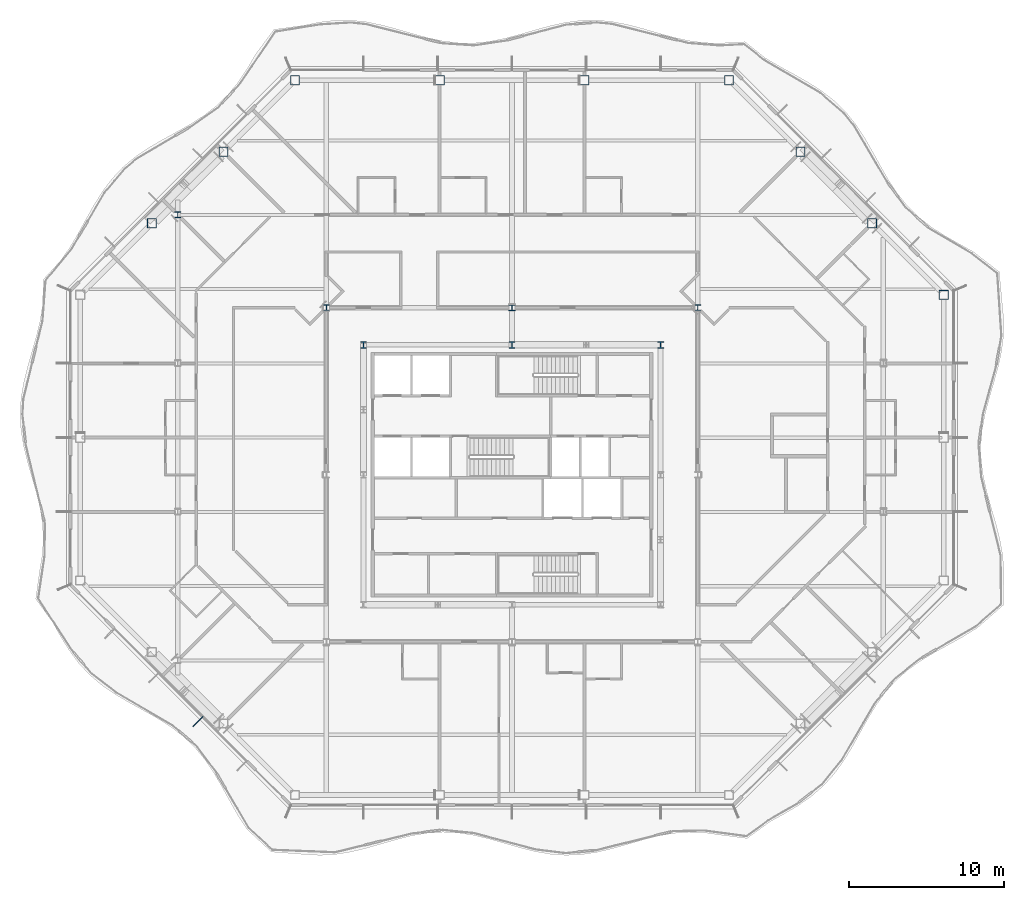
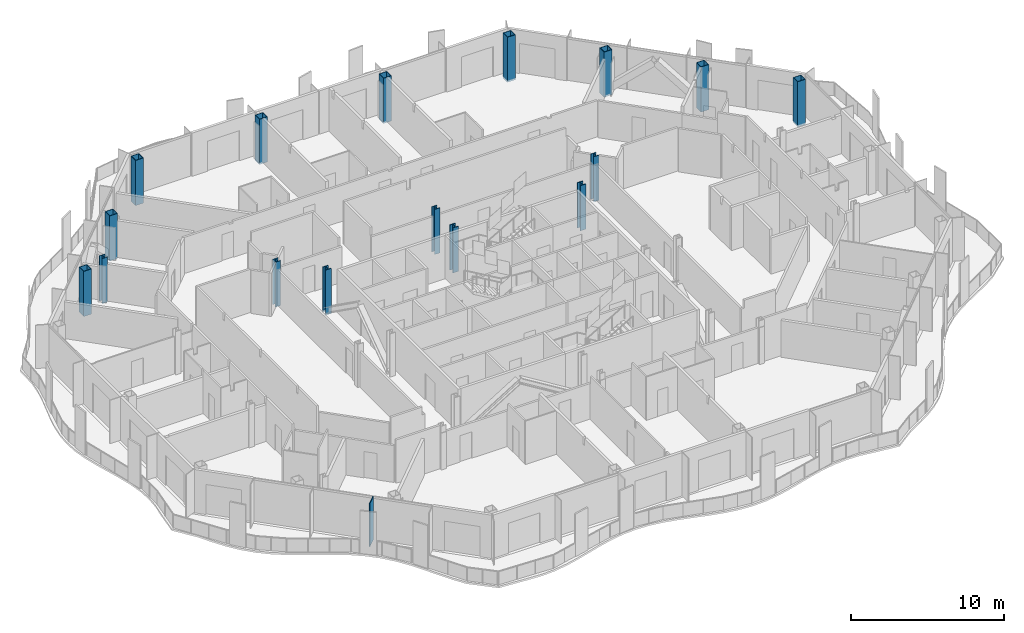
# One storey, part 2 of 20: 16 columns, 1 member, 1 element without a shape of its own.
"""IFC4 building model written with IfcOpenShell, lengths in metres."""

import ifcopenshell
import ifcopenshell.guid

model = None  # the IFC model being written
_history = None  # IfcOwnerHistory: only IFC2X3 demands one
_inside = {}  # id of a spatial element -> (the spatial element, [elements in it])
_under = {}  # id of a project, library or spatial element -> (it, [spatial elements below it])
_declared = {}  # id of a project -> (the project, [libraries it declares])
_typed = {}  # id of a type object -> (the type object, [elements of that type])
_made_of = {}  # id of a material, layer set ... -> (it, [elements and type objects made of it])


def new_model(schema):
    """Start an empty IFC model of exactly this schema.

    Asked for "IFC4X3", IfcOpenShell would pick the latest addendum, in which some entities
    have other attributes; the version numbers below select the first issue.
    IFC2X3 requires an IfcOwnerHistory on every rooted entity: one is made here for all.
    """
    global model, _history
    if schema == "IFC4X3":
        model = ifcopenshell.file(schema_version=(4, 3, 0, 0))
    else:
        model = ifcopenshell.file(schema=schema)
    _inside.clear()
    _under.clear()
    _declared.clear()
    _typed.clear()
    _made_of.clear()
    _history = None
    if model.schema == "IFC2X3":
        org = make("IfcOrganization", Name="unknown")
        user = make(
            "IfcPersonAndOrganization",
            ThePerson=make("IfcPerson", FamilyName="unknown"),
            TheOrganization=org,
        )
        app = make(
            "IfcApplication",
            ApplicationDeveloper=org,
            Version="unknown",
            ApplicationFullName="unknown",
            ApplicationIdentifier="unknown",
        )
        _history = make(
            "IfcOwnerHistory",
            OwningUser=user,
            OwningApplication=app,
            ChangeAction="ADDED",
            CreationDate=0,
        )
    return model


def make(cls, **values):
    """One entity of the class cls with the attributes given. An attribute that is None is left unset."""
    return model.create_entity(
        cls, **{name: value for name, value in values.items() if value is not None}
    )


def rooted(cls, **values):
    """An entity with a GlobalId (a new one), such as an element, a storey or a relation."""
    return make(cls, GlobalId=ifcopenshell.guid.new(), OwnerHistory=_history, **values)


def si_unit(unit_type, name, prefix=None):
    """IfcSIUnit, for example si_unit("LENGTHUNIT", "METRE", prefix="MILLI")."""
    return make("IfcSIUnit", UnitType=unit_type, Prefix=prefix, Name=name)


def assignment(units):
    """IfcUnitAssignment: the units of a project."""
    return None if units is None else make("IfcUnitAssignment", Units=units)


def point(xyz):
    """IfcCartesianPoint."""
    return None if xyz is None else make("IfcCartesianPoint", Coordinates=xyz)


def direction(xyz):
    """IfcDirection."""
    return None if xyz is None else make("IfcDirection", DirectionRatios=xyz)


def frame(location, z_axis=None, x_axis=None):
    """IfcAxis2Placement3D, a coordinate frame: its origin and axes. An axis left out is left unset."""
    return make(
        "IfcAxis2Placement3D",
        Location=point(location),
        Axis=direction(z_axis),
        RefDirection=direction(x_axis),
    )


def frame_2d(location, x_axis=None):
    """IfcAxis2Placement2D, a coordinate frame in the plane: its origin and x axis."""
    return make(
        "IfcAxis2Placement2D", Location=point(location), RefDirection=direction(x_axis)
    )


def origin():
    """The frame at (0, 0, 0) with its axes left unset."""
    return frame((0.0, 0.0, 0.0))


def origin_2d():
    """The frame at (0, 0) in the plane with its x axis left unset."""
    return frame_2d((0.0, 0.0))


def place(relative_to, where):
    """IfcLocalPlacement: puts the frame where relative to a parent placement (None: the world)."""
    return make(
        "IfcLocalPlacement", PlacementRelTo=relative_to, RelativePlacement=where
    )


def context(
    kind, dimensions, precision=None, world=None, true_north=None, identifier=None
):
    """IfcGeometricRepresentationContext, for example the 3D "Model" context."""
    return make(
        "IfcGeometricRepresentationContext",
        ContextIdentifier=identifier,
        ContextType=kind,
        CoordinateSpaceDimension=dimensions,
        Precision=precision,
        WorldCoordinateSystem=world,
        TrueNorth=true_north,
    )


def subcontext(parent, identifier, kind, view, scale=None):
    """IfcGeometricRepresentationSubContext, for example "Body" below "Model"."""
    return make(
        "IfcGeometricRepresentationSubContext",
        ContextIdentifier=identifier,
        ContextType=kind,
        ParentContext=parent,
        TargetScale=scale,
        TargetView=view,
    )


def project(units=None, contexts=None):
    """IfcProject with its units and contexts."""
    return rooted(
        "IfcProject",
        Name="project",
        RepresentationContexts=contexts,
        UnitsInContext=assignment(units),
    )


def spatial(cls, under=None, at=None, **own):
    """A site, building, storey or space (cls), placed at a placement, below another one or the project."""
    s = rooted(cls, ObjectPlacement=at, **own)
    if under is not None:
        _under.setdefault(under.id(), (under, []))[1].append(s)
    return s


def profile(cls, at=None, kind="AREA", **sizes):
    """A parametric profile (cls). Its sizes go by their IFC names, for example OverallWidth=200.0."""
    return make(cls, ProfileType=kind, Position=at, **sizes)


def rectangle(**sizes):
    """IfcRectangleProfileDef."""
    return profile("IfcRectangleProfileDef", **sizes)


def hollow_rectangle(**sizes):
    """IfcRectangleHollowProfileDef."""
    return profile("IfcRectangleHollowProfileDef", **sizes)


def i_section(**sizes):
    """IfcIShapeProfileDef."""
    return profile("IfcIShapeProfileDef", **sizes)


def extrude(swept, where, along, depth):
    """IfcExtrudedAreaSolid: the profile swept, set in the frame where, extruded along a direction by depth."""
    return make(
        "IfcExtrudedAreaSolid",
        SweptArea=swept,
        Position=where,
        ExtrudedDirection=direction(along),
        Depth=depth,
    )


def shape(context_of_items, identifier, shape_type, items):
    """IfcShapeRepresentation: the items that make up one representation, for example the "Body"."""
    return make(
        "IfcShapeRepresentation",
        ContextOfItems=context_of_items,
        RepresentationIdentifier=identifier,
        RepresentationType=shape_type,
        Items=items,
    )


def material(Name=None, Category=None):
    """IfcMaterial."""
    return make("IfcMaterial", Name=Name, Category=Category)


def material_profile(
    of_material, cross_section, Name=None, Category=None, Priority=None
):
    """IfcMaterialProfile: a cross section and its material."""
    return make(
        "IfcMaterialProfile",
        Name=Name,
        Material=of_material,
        Profile=cross_section,
        Priority=Priority,
        Category=Category,
    )


def profile_set(profiles, Name=None, composite=None):
    """IfcMaterialProfileSet."""
    return make(
        "IfcMaterialProfileSet",
        Name=Name,
        MaterialProfiles=profiles,
        CompositeProfile=composite,
    )


def made_of(thing, what):
    """Note that an element or type object is made of a material, layer set ...; save() writes the relation."""
    if what is not None:
        _made_of.setdefault(what.id(), (what, []))[1].append(thing)
    return thing


def type_object(cls, material=None, **own):
    """A type object (cls), such as IfcWallType, which elements share."""
    return made_of(rooted(cls, **own), material)


def element(
    cls,
    number,
    at=None,
    inside=None,
    cuts=None,
    type_object=None,
    material=None,
    context=None,
    identifier="Body",
    shape_type=None,
    held_by="IfcProductDefinitionShape",
    body=None,
    shapes=None,
    **own,
):
    """One element of the class cls, such as IfcWall. Its Tag is "e" and its number.

    at: its placement. inside: the storey or other place that contains it. cuts: it is an
    opening in that element (IfcRelVoidsElement). A single representation is given by context,
    identifier, shape_type and body (its items); several are given by shapes. held_by: the class
    of the entity that holds the representations. save() writes the other relations.
    """
    e = rooted(cls, Tag="e%d" % number, ObjectPlacement=at, **own)
    if body is not None:
        shapes = [shape(context, identifier, shape_type, body)]
    if shapes is not None:
        e.Representation = make(held_by, Representations=shapes)
    if inside is not None:
        _inside.setdefault(inside.id(), (inside, []))[1].append(e)
    if cuts is not None:
        rooted(
            "IfcRelVoidsElement", RelatingBuildingElement=cuts, RelatedOpeningElement=e
        )
    if type_object is not None:
        _typed.setdefault(type_object.id(), (type_object, []))[1].append(e)
    return made_of(e, material)


def aggregate(whole, parts):
    """IfcRelAggregates: a whole, such as a stair, and the parts it consists of."""
    return rooted("IfcRelAggregates", RelatingObject=whole, RelatedObjects=parts)


def save(model, path):
    """Write the relations noted so far, then the file.

    IfcRelAggregates (storeys below a building ...), IfcRelContainedInSpatialStructure (elements
    in a storey), IfcRelDefinesByType, IfcRelAssociatesMaterial and IfcRelDeclares: one each for
    every whole, place, type object, material and project.
    """
    for whole, parts in _under.values():
        aggregate(whole, parts)
    for where, things in _inside.values():
        rooted(
            "IfcRelContainedInSpatialStructure",
            RelatedElements=things,
            RelatingStructure=where,
        )
    for kind, things in _typed.values():
        rooted("IfcRelDefinesByType", RelatedObjects=things, RelatingType=kind)
    for what, things in _made_of.values():
        rooted("IfcRelAssociatesMaterial", RelatedObjects=things, RelatingMaterial=what)
    for by, libraries in _declared.values():
        rooted("IfcRelDeclares", RelatingContext=by, RelatedDefinitions=libraries)
    model.write(path)


model = new_model("IFC4")

# Units and contexts
model_context = context("Model", 3, precision=1e-05, world=origin(), true_north=direction((0.0, 1.0)))
body_context = subcontext(model_context, "Body", "Model", "MODEL_VIEW")
ifc_project = project(units=[si_unit("LENGTHUNIT", "METRE"), si_unit("AREAUNIT", "SQUARE_METRE"), si_unit("VOLUMEUNIT", "CUBIC_METRE"), si_unit("PLANEANGLEUNIT", "RADIAN"), si_unit("MASSUNIT", "GRAM", prefix="KILO")], contexts=[model_context])

# Site, building, storey
site_placement = place(None, origin())
site = spatial("IfcSite", under=ifc_project, at=site_placement, CompositionType="ELEMENT")
building_placement = place(site_placement, origin())
building = spatial("IfcBuilding", under=site, at=building_placement, Name="Cairn Pilgrim Tower", CompositionType="ELEMENT")
storey_placement = place(building_placement, frame((0.0, 0.0, 165.0)))
storey = spatial("IfcBuildingStorey", under=building, at=storey_placement, Name="L41", CompositionType="ELEMENT", Elevation=165.0)

# Columns
ifc_material_1 = material(Name="Structural steel S460M", Category="steel")
ifc_material_profile_1 = material_profile(ifc_material_1, hollow_rectangle(XDim=0.60009765625, YDim=0.60009765625, WallThickness=0.034912109375, at=origin_2d()), Name="BOX 600x600x35")
ifc_profile_set_1 = profile_set([ifc_material_profile_1], Name="Structural steel S460M")
column_type_1 = type_object("IfcColumnType", Name="BOX 600x600x35", PredefinedType="COLUMN", material=ifc_profile_set_1)
for number, where, z_axis, x_axis, name in (
    (1, (35.10009765625, 14.027099609375, -0.14990234375), (0.0, 0.0, 1.0), (1.0, 0.0, 0.0), "PC2-NE1"),
    (2, (30.4755859375, 18.651611328125, -0.14990234375), (0.0, 0.0, 1.0), (1.0, 0.0, 0.0), "PC2-NE2"),
    (3, (25.8515625, 23.275634765625, -0.14990234375), (0.0, 0.0, 1.0), (1.0, 0.0, 0.0), "PC2-NE3"),
    (4, (21.227294921875, 27.89990234375, -0.14990234375), (0.0, 0.0, 1.0), (1.0, 0.0, 0.0), "PC2-N1"),
    (5, (11.875732421875, 27.89990234375, -0.14990234375), (0.0, 0.0, 1.0), (1.0, 0.0, 0.0), "PC2-N2"),
    (6, (2.5244140625, 27.89990234375, -0.14990234375), (0.0, 0.0, 1.0), (1.0, 0.0, 0.0), "PC2-N3"),
    (7, (-6.8271484375, 27.89990234375, -0.14990234375), (0.0, 0.0, 1.0), (1.0, 0.0, 0.0), "PC2-NW1"),
    (8, (-11.451416015625, 23.275634765625, -0.14990234375), (0.0, 0.0, 1.0), (1.0, 0.0, 0.0), "PC2-NW2"),
    (9, (-16.07568359375, 18.651611328125, -0.14990234375), (0.0, 0.0, 1.0), (1.0, 0.0, 0.0), "PC2-NW3"),
):
    element("IfcColumn", number, at=place(storey_placement, frame(where, z_axis=z_axis, x_axis=x_axis)), inside=storey, type_object=column_type_1, Name=name, PredefinedType="COLUMN", context=body_context, shape_type="SweptSolid", body=[
        extrude(hollow_rectangle(XDim=0.60009765625, YDim=0.60009765625, WallThickness=0.034912109375, at=origin_2d()), origin(), (0.0, 0.0, 1.0), 3.599853515625),
    ])
ifc_material_2 = material(Name="Structural steel S355J2", Category="steel")
ifc_material_profile_2 = material_profile(ifc_material_2, i_section(OverallWidth=0.39892578125, OverallDepth=0.39306640625, WebThickness=0.022705078125, FlangeThickness=0.03662109375, FilletRadius=0.014892578125, at=origin_2d()), Name="HD 400x287")
ifc_profile_set_2 = profile_set([ifc_material_profile_2], Name="Structural steel S355J2")
column_type_2 = type_object("IfcColumnType", Name="HD 400x287", PredefinedType="COLUMN", material=ifc_profile_set_2)
for number, where, z_axis, x_axis, name in (
    (10, (-4.800048828125, 13.199951171875, -0.14990234375), (0.0, 0.0, 1.0), (1.0, 0.0, 0.0), "IC-6"),
    (11, (7.199951171875, 13.199951171875, -0.14990234375), (0.0, 0.0, 1.0), (1.0, 0.0, 0.0), "IC-7"),
    (12, (19.199951171875, 13.199951171875, -0.14990234375), (0.0, 0.0, 1.0), (1.0, 0.0, 0.0), "IC-8"),
    (13, (-14.39990234375, 19.199951171875, -0.14990234375), (0.0, 0.0, 1.0), (1.0, 0.0, 0.0), "WC-WW+4"),
):
    element("IfcColumn", number, at=place(storey_placement, frame(where, z_axis=z_axis, x_axis=x_axis)), inside=storey, type_object=column_type_2, Name=name, PredefinedType="COLUMN", context=body_context, shape_type="SweptSolid", body=[
        extrude(i_section(OverallWidth=0.39892578125, OverallDepth=0.39306640625, WebThickness=0.022705078125, FlangeThickness=0.03662109375, FilletRadius=0.014892578125, at=origin_2d()), origin(), (0.0, 0.0, 1.0), 3.599853515625),
    ])
ifc_material_profile_3 = material_profile(ifc_material_1, i_section(OverallWidth=0.416015625, OverallDepth=0.446044921875, WebThickness=0.0390625, FlangeThickness=0.062744140625, FilletRadius=0.014892578125, at=origin_2d()), Name="HD 400x509")
ifc_profile_set_3 = profile_set([ifc_material_profile_3], Name="Structural steel S460M")
column_type_3 = type_object("IfcColumnType", Name="HD 400x509", PredefinedType="COLUMN", material=ifc_profile_set_3)
for number, where, z_axis, x_axis, name in (
    (14, (-2.39990234375, 10.800048828125, -0.14990234375), (0.0, 0.0, 1.0), (1.0, 0.0, 0.0), "KC-6"),
    (15, (7.199951171875, 10.800048828125, -0.14990234375), (0.0, 0.0, 1.0), (1.0, 0.0, 0.0), "KC-7"),
    (16, (16.800048828125, 10.800048828125, -0.14990234375), (0.0, 0.0, 1.0), (1.0, 0.0, 0.0), "KC-8"),
):
    element("IfcColumn", number, at=place(storey_placement, frame(where, z_axis=z_axis, x_axis=x_axis)), inside=storey, type_object=column_type_3, Name=name, PredefinedType="COLUMN", context=body_context, shape_type="SweptSolid", body=[
        extrude(i_section(OverallWidth=0.416015625, OverallDepth=0.446044921875, WebThickness=0.0390625, FlangeThickness=0.062744140625, FilletRadius=0.014892578125, at=origin_2d()), origin(), (0.0, 0.0, 1.0), 3.599853515625),
    ])

# Curtain wall, member
ifc_material_3 = material(Name="Aluminium alloy 6063-T6 bronze anodised with Bronze tinted laminated low-E glass 8+16+8.8", Category="aluminium")
curtain_wall_type = type_object("IfcCurtainWallType", Name="CHAMFER CORNER CURTAIN WALL", PredefinedType="NOTDEFINED", material=ifc_material_3)
curtain_wall_placement = place(storey_placement, origin())
curtain_wall = element("IfcCurtainWall", 17, at=curtain_wall_placement, inside=storey, type_object=curtain_wall_type, Name="Chamfer Corner Curtain Wall SW", PredefinedType="NOTDEFINED")
ifc_material_4 = material(Name="Aluminium alloy 6063-T6 bronze anodised", Category="aluminium")
ifc_material_profile_4 = material_profile(ifc_material_4, rectangle(XDim=0.89990234375, YDim=0.06005859375, at=origin_2d()), Name="FIN MULLION 60x900 BRONZE")
ifc_profile_set_4 = profile_set([ifc_material_profile_4], Name="Aluminium alloy 6063-T6 bronze anodised")
member_type = type_object("IfcMemberType", Name="FIN MULLION 60x900 BRONZE", PredefinedType="MULLION", material=ifc_profile_set_4)
member_placement = place(storey_placement, frame((-13.094970703125, -13.545654296875, 0.0), z_axis=(0.0, 0.0, 1.0), x_axis=(-0.707106781187, -0.707106781187, 0.0)))
member = element("IfcMember", 18, at=member_placement, type_object=member_type, Name="Fin mullion SW4", PredefinedType="MULLION", context=body_context, shape_type="SweptSolid", body=[
    extrude(rectangle(XDim=0.89990234375, YDim=0.06005859375, at=origin_2d()), origin(), (0.0, 0.0, 1.0), 3.449951171875),
])
aggregate(curtain_wall, [member])

save(model, "model.ifc")
